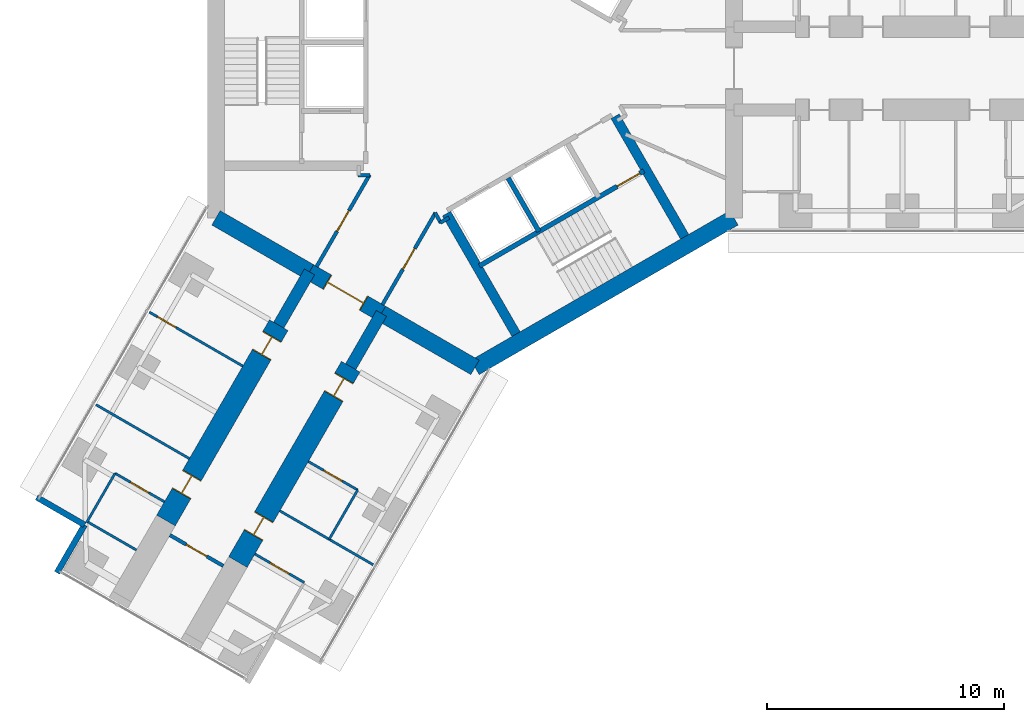
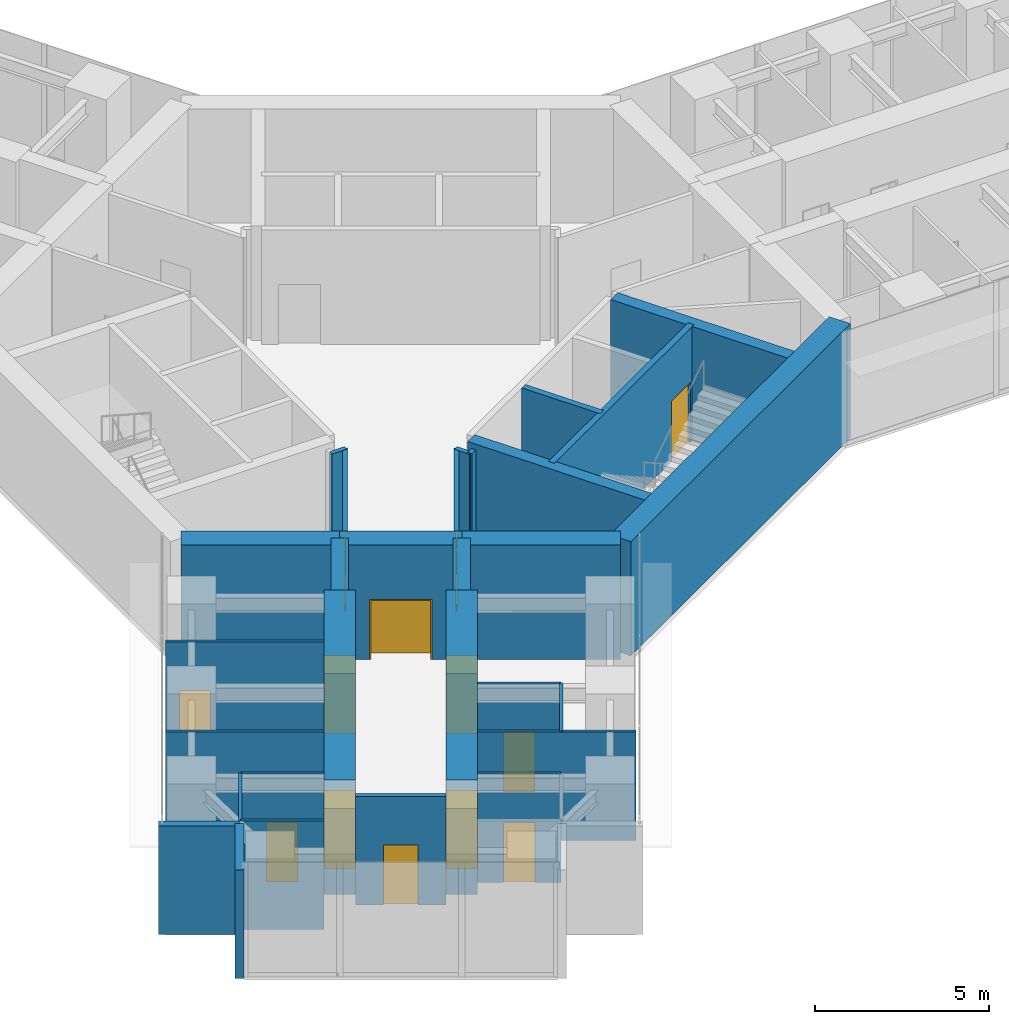
# One storey, part 16 of 25: 29 walls, 13 doors, 13 openings.
"""IFC4 building model written with IfcOpenShell, lengths in metres."""

import ifcopenshell
import ifcopenshell.guid

model = None  # the IFC model being written
_history = None  # IfcOwnerHistory: only IFC2X3 demands one
_inside = {}  # id of a spatial element -> (the spatial element, [elements in it])
_under = {}  # id of a project, library or spatial element -> (it, [spatial elements below it])
_declared = {}  # id of a project -> (the project, [libraries it declares])
_typed = {}  # id of a type object -> (the type object, [elements of that type])
_made_of = {}  # id of a material, layer set ... -> (it, [elements and type objects made of it])


def new_model(schema):
    """Start an empty IFC model of exactly this schema.

    Asked for "IFC4X3", IfcOpenShell would pick the latest addendum, in which some entities
    have other attributes; the version numbers below select the first issue.
    IFC2X3 requires an IfcOwnerHistory on every rooted entity: one is made here for all.
    """
    global model, _history
    if schema == "IFC4X3":
        model = ifcopenshell.file(schema_version=(4, 3, 0, 0))
    else:
        model = ifcopenshell.file(schema=schema)
    _inside.clear()
    _under.clear()
    _declared.clear()
    _typed.clear()
    _made_of.clear()
    _history = None
    if model.schema == "IFC2X3":
        org = make("IfcOrganization", Name="unknown")
        user = make(
            "IfcPersonAndOrganization",
            ThePerson=make("IfcPerson", FamilyName="unknown"),
            TheOrganization=org,
        )
        app = make(
            "IfcApplication",
            ApplicationDeveloper=org,
            Version="unknown",
            ApplicationFullName="unknown",
            ApplicationIdentifier="unknown",
        )
        _history = make(
            "IfcOwnerHistory",
            OwningUser=user,
            OwningApplication=app,
            ChangeAction="ADDED",
            CreationDate=0,
        )
    return model


def make(cls, **values):
    """One entity of the class cls with the attributes given. An attribute that is None is left unset."""
    return model.create_entity(
        cls, **{name: value for name, value in values.items() if value is not None}
    )


def rooted(cls, **values):
    """An entity with a GlobalId (a new one), such as an element, a storey or a relation."""
    return make(cls, GlobalId=ifcopenshell.guid.new(), OwnerHistory=_history, **values)


def si_unit(unit_type, name, prefix=None):
    """IfcSIUnit, for example si_unit("LENGTHUNIT", "METRE", prefix="MILLI")."""
    return make("IfcSIUnit", UnitType=unit_type, Prefix=prefix, Name=name)


def assignment(units):
    """IfcUnitAssignment: the units of a project."""
    return None if units is None else make("IfcUnitAssignment", Units=units)


def point(xyz):
    """IfcCartesianPoint."""
    return None if xyz is None else make("IfcCartesianPoint", Coordinates=xyz)


def direction(xyz):
    """IfcDirection."""
    return None if xyz is None else make("IfcDirection", DirectionRatios=xyz)


def frame(location, z_axis=None, x_axis=None):
    """IfcAxis2Placement3D, a coordinate frame: its origin and axes. An axis left out is left unset."""
    return make(
        "IfcAxis2Placement3D",
        Location=point(location),
        Axis=direction(z_axis),
        RefDirection=direction(x_axis),
    )


def frame_2d(location, x_axis=None):
    """IfcAxis2Placement2D, a coordinate frame in the plane: its origin and x axis."""
    return make(
        "IfcAxis2Placement2D", Location=point(location), RefDirection=direction(x_axis)
    )


def origin():
    """The frame at (0, 0, 0) with its axes left unset."""
    return frame((0.0, 0.0, 0.0))


def place(relative_to, where):
    """IfcLocalPlacement: puts the frame where relative to a parent placement (None: the world)."""
    return make(
        "IfcLocalPlacement", PlacementRelTo=relative_to, RelativePlacement=where
    )


def context(
    kind, dimensions, precision=None, world=None, true_north=None, identifier=None
):
    """IfcGeometricRepresentationContext, for example the 3D "Model" context."""
    return make(
        "IfcGeometricRepresentationContext",
        ContextIdentifier=identifier,
        ContextType=kind,
        CoordinateSpaceDimension=dimensions,
        Precision=precision,
        WorldCoordinateSystem=world,
        TrueNorth=true_north,
    )


def subcontext(parent, identifier, kind, view, scale=None):
    """IfcGeometricRepresentationSubContext, for example "Body" below "Model"."""
    return make(
        "IfcGeometricRepresentationSubContext",
        ContextIdentifier=identifier,
        ContextType=kind,
        ParentContext=parent,
        TargetScale=scale,
        TargetView=view,
    )


def project(units=None, contexts=None):
    """IfcProject with its units and contexts."""
    return rooted(
        "IfcProject",
        Name="project",
        RepresentationContexts=contexts,
        UnitsInContext=assignment(units),
    )


def spatial(cls, under=None, at=None, **own):
    """A site, building, storey or space (cls), placed at a placement, below another one or the project."""
    s = rooted(cls, ObjectPlacement=at, **own)
    if under is not None:
        _under.setdefault(under.id(), (under, []))[1].append(s)
    return s


def profile(cls, at=None, kind="AREA", **sizes):
    """A parametric profile (cls). Its sizes go by their IFC names, for example OverallWidth=200.0."""
    return make(cls, ProfileType=kind, Position=at, **sizes)


def rectangle(**sizes):
    """IfcRectangleProfileDef."""
    return profile("IfcRectangleProfileDef", **sizes)


def extrude(swept, where, along, depth):
    """IfcExtrudedAreaSolid: the profile swept, set in the frame where, extruded along a direction by depth."""
    return make(
        "IfcExtrudedAreaSolid",
        SweptArea=swept,
        Position=where,
        ExtrudedDirection=direction(along),
        Depth=depth,
    )


def shape(context_of_items, identifier, shape_type, items):
    """IfcShapeRepresentation: the items that make up one representation, for example the "Body"."""
    return make(
        "IfcShapeRepresentation",
        ContextOfItems=context_of_items,
        RepresentationIdentifier=identifier,
        RepresentationType=shape_type,
        Items=items,
    )


def material(Name=None, Category=None):
    """IfcMaterial."""
    return make("IfcMaterial", Name=Name, Category=Category)


def layer(
    of_material, thickness, ventilated=None, Name=None, Category=None, Priority=None
):
    """IfcMaterialLayer: one layer of a wall or slab, of a material (None: an air gap)."""
    return make(
        "IfcMaterialLayer",
        Material=of_material,
        LayerThickness=thickness,
        IsVentilated=ventilated,
        Name=Name,
        Category=Category,
        Priority=Priority,
    )


def layer_set(layers, Name=None):
    """IfcMaterialLayerSet."""
    return make("IfcMaterialLayerSet", MaterialLayers=layers, LayerSetName=Name)


def made_of(thing, what):
    """Note that an element or type object is made of a material, layer set ...; save() writes the relation."""
    if what is not None:
        _made_of.setdefault(what.id(), (what, []))[1].append(thing)
    return thing


def type_object(cls, material=None, **own):
    """A type object (cls), such as IfcWallType, which elements share."""
    return made_of(rooted(cls, **own), material)


def element(
    cls,
    number,
    at=None,
    inside=None,
    cuts=None,
    type_object=None,
    material=None,
    context=None,
    identifier="Body",
    shape_type=None,
    held_by="IfcProductDefinitionShape",
    body=None,
    shapes=None,
    **own,
):
    """One element of the class cls, such as IfcWall. Its Tag is "e" and its number.

    at: its placement. inside: the storey or other place that contains it. cuts: it is an
    opening in that element (IfcRelVoidsElement). A single representation is given by context,
    identifier, shape_type and body (its items); several are given by shapes. held_by: the class
    of the entity that holds the representations. save() writes the other relations.
    """
    e = rooted(cls, Tag="e%d" % number, ObjectPlacement=at, **own)
    if body is not None:
        shapes = [shape(context, identifier, shape_type, body)]
    if shapes is not None:
        e.Representation = make(held_by, Representations=shapes)
    if inside is not None:
        _inside.setdefault(inside.id(), (inside, []))[1].append(e)
    if cuts is not None:
        rooted(
            "IfcRelVoidsElement", RelatingBuildingElement=cuts, RelatedOpeningElement=e
        )
    if type_object is not None:
        _typed.setdefault(type_object.id(), (type_object, []))[1].append(e)
    return made_of(e, material)


def fill(opening, filler):
    """IfcRelFillsElement: the door or window that sits in an opening."""
    return rooted(
        "IfcRelFillsElement",
        RelatingOpeningElement=opening,
        RelatedBuildingElement=filler,
    )


def aggregate(whole, parts):
    """IfcRelAggregates: a whole, such as a stair, and the parts it consists of."""
    return rooted("IfcRelAggregates", RelatingObject=whole, RelatedObjects=parts)


def save(model, path):
    """Write the relations noted so far, then the file.

    IfcRelAggregates (storeys below a building ...), IfcRelContainedInSpatialStructure (elements
    in a storey), IfcRelDefinesByType, IfcRelAssociatesMaterial and IfcRelDeclares: one each for
    every whole, place, type object, material and project.
    """
    for whole, parts in _under.values():
        aggregate(whole, parts)
    for where, things in _inside.values():
        rooted(
            "IfcRelContainedInSpatialStructure",
            RelatedElements=things,
            RelatingStructure=where,
        )
    for kind, things in _typed.values():
        rooted("IfcRelDefinesByType", RelatedObjects=things, RelatingType=kind)
    for what, things in _made_of.values():
        rooted("IfcRelAssociatesMaterial", RelatedObjects=things, RelatingMaterial=what)
    for by, libraries in _declared.values():
        rooted("IfcRelDeclares", RelatingContext=by, RelatedDefinitions=libraries)
    model.write(path)


model = new_model("IFC4")

# Units and contexts
model_context = context("Model", 3, precision=1e-05, world=origin(), true_north=direction((0.0, 1.0)))
body_context = subcontext(model_context, "Body", "Model", "MODEL_VIEW")
ifc_project = project(units=[si_unit("LENGTHUNIT", "METRE"), si_unit("AREAUNIT", "SQUARE_METRE"), si_unit("VOLUMEUNIT", "CUBIC_METRE"), si_unit("PLANEANGLEUNIT", "RADIAN"), si_unit("MASSUNIT", "GRAM", prefix="KILO")], contexts=[model_context])

# Site, building, storey
site_placement = place(None, origin())
site = spatial("IfcSite", under=ifc_project, at=site_placement, CompositionType="ELEMENT")
building_placement = place(site_placement, origin())
building = spatial("IfcBuilding", under=site, at=building_placement, Name="Upepo Twin Towers", CompositionType="ELEMENT")
storey_placement = place(building_placement, frame((0.0, 0.0, 76.5)))
storey = spatial("IfcBuildingStorey", under=building, at=storey_placement, Name="L18", CompositionType="ELEMENT", Elevation=76.5)

# Walls
ifc_material_1 = material(Name="Concrete C60/75", Category="concrete")
ifc_layer_1 = layer(ifc_material_1, 0.5)
ifc_layer_set_1 = layer_set([ifc_layer_1], Name="Concrete C60/75")
wall_type_1 = type_object("IfcWallType", Name="Buttress wall 500 RC", PredefinedType="SHEAR", material=ifc_layer_set_1)
for number, where, z_axis, x_axis, name in (
    (1, (-3.938720703125, -10.32177734375, 0.0), (0.0, 0.0, 1.0), (-0.499918158782, -0.866072649678, 0.0), "T1 wing C buttress wall L"),
    (2, (-6.9697265625, -8.57177734375, 0.0), (0.0, 0.0, 1.0), (-0.499988811324, -0.866031863473, 0.0), "T1 wing C buttress wall R"),
):
    element("IfcWall", number, at=place(storey_placement, frame(where, z_axis=z_axis, x_axis=x_axis)), inside=storey, type_object=wall_type_1, Name=name, PredefinedType="SHEAR", context=body_context, shape_type="SweptSolid", body=[
        extrude(rectangle(XDim=2.591796875, YDim=0.5, at=frame_2d((1.2958984375, 0.0))), origin(), (0.0, 0.0, 1.0), 4.0),
    ])

# Wall, openings, doors
ifc_material_2 = material(Name="Concrete C60/75", Category="concrete")
ifc_layer_2 = layer(ifc_material_2, 0.89990234375)
ifc_layer_set_2 = layer_set([ifc_layer_2], Name="Concrete C60/75")
wall_type_2 = type_object("IfcWallType", Name="Buttress wall 900 RC", PredefinedType="SHEAR", material=ifc_layer_set_2)
wall_1_placement = place(storey_placement, frame((-5.234375, -12.56640625, 0.0), z_axis=(0.0, 0.0, 1.0), x_axis=(-0.499997557548, -0.86602681393, 0.0)))
wall_1 = element("IfcWall", 3, at=wall_1_placement, inside=storey, type_object=wall_type_2, Name="T1 wing C buttress wall L part 2", PredefinedType="SHEAR", context=body_context, shape_type="SweptSolid", body=[
    extrude(rectangle(XDim=9.5, YDim=0.89990234375, at=frame_2d((4.75, 0.0))), origin(), (0.0, 0.0, 1.0), 4.0),
])
opening_1_placement = place(wall_1_placement, frame((0.550048828125, 0.0, 0.0)))
opening_1 = element("IfcOpeningElement", 4, at=opening_1_placement, cuts=wall_1, Name="Opening D14", PredefinedType="OPENING", context=body_context, shape_type="SweptSolid", body=[
    extrude(rectangle(XDim=0.89990234375, YDim=2.10009765625, at=frame_2d((0.449951171875, 1.050048828125))), frame((0.0, 0.4599609375, 0.0), z_axis=(0.0, -1.0, 0.0), x_axis=(1.0, 0.0, 0.0)), (0.0, 0.0, 1.0), 0.919921875),
])
opening_2_placement = place(wall_1_placement, frame((7.300048828125, 0.0, 0.0)))
opening_2 = element("IfcOpeningElement", 5, at=opening_2_placement, cuts=wall_1, Name="Opening D14", PredefinedType="OPENING", context=body_context, shape_type="SweptSolid", body=[
    extrude(rectangle(XDim=0.89990234375, YDim=2.10009765625, at=frame_2d((0.449951171875, 1.050048828125))), frame((0.0, 0.4599609375, 0.0), z_axis=(0.0, -1.0, 0.0), x_axis=(1.0, 0.0, 0.0)), (0.0, 0.0, 1.0), 0.919921875),
])
ifc_material_3 = material(Name="Timber doorset", Category="wood")
door_type_1 = type_object("IfcDoorType", Name="Office door 900 FD30", OperationType="SINGLE_SWING_LEFT", PredefinedType="DOOR", material=ifc_material_3)
door_1_placement = place(opening_1_placement, origin())
door_1 = element("IfcDoor", 6, at=door_1_placement, inside=storey, type_object=door_type_1, Name="T1 L18 open-plan staff office door", OperationType="SINGLE_SWING_LEFT", OverallHeight=2.10009765625, OverallWidth=0.89990234375, PredefinedType="DOOR", context=body_context, shape_type="SweptSolid", body=[
    extrude(rectangle(XDim=0.81990234375, YDim=2.06009765625, at=frame_2d((0.449951171875, 1.030029296875))), frame((0.0, 0.02490234375, 0.0), z_axis=(0.0, -1.0, 0.0), x_axis=(1.0, 0.0, 0.0)), (0.0, 0.0, 1.0), 0.050048828125),
    extrude(rectangle(XDim=0.04, YDim=2.10009765625, at=frame_2d((0.02001953125, 1.050048828125))), frame((0.0, 0.44970703125, 0.0), z_axis=(0.0, -1.0, 0.0), x_axis=(1.0, 0.0, 0.0)), (0.0, 0.0, 1.0), 0.8994140625),
    extrude(rectangle(XDim=0.04, YDim=2.10009765625, at=frame_2d((0.8798828125, 1.050048828125))), frame((0.0, 0.44970703125, 0.0), z_axis=(0.0, -1.0, 0.0), x_axis=(1.0, 0.0, 0.0)), (0.0, 0.0, 1.0), 0.8994140625),
    extrude(rectangle(XDim=0.81990234375, YDim=0.04, at=frame_2d((0.449951171875, 2.080078125))), frame((0.0, 0.44970703125, 0.0), z_axis=(0.0, -1.0, 0.0), x_axis=(1.0, 0.0, 0.0)), (0.0, 0.0, 1.0), 0.8994140625),
])
fill(opening_1, door_1)
door_2_placement = place(opening_2_placement, origin())
door_2 = element("IfcDoor", 7, at=door_2_placement, inside=storey, type_object=door_type_1, Name="T1 L18 meeting room door", OperationType="SINGLE_SWING_RIGHT", OverallHeight=2.10009765625, OverallWidth=0.89990234375, PredefinedType="DOOR", context=body_context, shape_type="SweptSolid", body=[
    extrude(rectangle(XDim=0.81990234375, YDim=2.06009765625, at=frame_2d((0.449951171875, 1.030029296875))), frame((0.0, 0.02490234375, 0.0), z_axis=(0.0, -1.0, 0.0), x_axis=(1.0, 0.0, 0.0)), (0.0, 0.0, 1.0), 0.050048828125),
    extrude(rectangle(XDim=0.04, YDim=2.10009765625, at=frame_2d((0.02001953125, 1.050048828125))), frame((0.0, 0.44970703125, 0.0), z_axis=(0.0, -1.0, 0.0), x_axis=(1.0, 0.0, 0.0)), (0.0, 0.0, 1.0), 0.8994140625),
    extrude(rectangle(XDim=0.04, YDim=2.10009765625, at=frame_2d((0.8798828125, 1.050048828125))), frame((0.0, 0.44970703125, 0.0), z_axis=(0.0, -1.0, 0.0), x_axis=(1.0, 0.0, 0.0)), (0.0, 0.0, 1.0), 0.8994140625),
    extrude(rectangle(XDim=0.81990234375, YDim=0.04, at=frame_2d((0.449951171875, 2.080078125))), frame((0.0, 0.44970703125, 0.0), z_axis=(0.0, -1.0, 0.0), x_axis=(1.0, 0.0, 0.0)), (0.0, 0.0, 1.0), 0.8994140625),
])
fill(opening_2, door_2)

wall_2_placement = place(storey_placement, frame((-8.265625, -10.81640625, 0.0), z_axis=(0.0, 0.0, 1.0), x_axis=(-0.499997557548, -0.86602681393, 0.0)))
wall_2 = element("IfcWall", 8, at=wall_2_placement, inside=storey, type_object=wall_type_2, Name="T1 wing C buttress wall R part 2", PredefinedType="SHEAR", context=body_context, shape_type="SweptSolid", body=[
    extrude(rectangle(XDim=9.5, YDim=0.89990234375, at=frame_2d((4.75, 0.0))), origin(), (0.0, 0.0, 1.0), 4.0),
])
opening_3_placement = place(wall_2_placement, frame((0.550048828125, 0.0, 0.0)))
opening_3 = element("IfcOpeningElement", 9, at=opening_3_placement, cuts=wall_2, Name="Opening D14", PredefinedType="OPENING", context=body_context, shape_type="SweptSolid", body=[
    extrude(rectangle(XDim=0.89990234375, YDim=2.10009765625, at=frame_2d((0.449951171875, 1.050048828125))), frame((0.0, 0.4599609375, 0.0), z_axis=(0.0, -1.0, 0.0), x_axis=(1.0, 0.0, 0.0)), (0.0, 0.0, 1.0), 0.919921875),
])
opening_4_placement = place(wall_2_placement, frame((7.300048828125, 0.0, 0.0)))
opening_4 = element("IfcOpeningElement", 10, at=opening_4_placement, cuts=wall_2, Name="Opening D14", PredefinedType="OPENING", context=body_context, shape_type="SweptSolid", body=[
    extrude(rectangle(XDim=0.89990234375, YDim=2.10009765625, at=frame_2d((0.449951171875, 1.050048828125))), frame((0.0, 0.4599609375, 0.0), z_axis=(0.0, -1.0, 0.0), x_axis=(1.0, 0.0, 0.0)), (0.0, 0.0, 1.0), 0.919921875),
])
door_3_placement = place(opening_3_placement, origin())
door_3 = element("IfcDoor", 11, at=door_3_placement, inside=storey, type_object=door_type_1, Name="T1 L18 staff office door", OperationType="SINGLE_SWING_LEFT", OverallHeight=2.10009765625, OverallWidth=0.89990234375, PredefinedType="DOOR", context=body_context, shape_type="SweptSolid", body=[
    extrude(rectangle(XDim=0.81990234375, YDim=2.06009765625, at=frame_2d((0.449951171875, 1.030029296875))), frame((0.0, 0.02490234375, 0.0), z_axis=(0.0, -1.0, 0.0), x_axis=(1.0, 0.0, 0.0)), (0.0, 0.0, 1.0), 0.050048828125),
    extrude(rectangle(XDim=0.04, YDim=2.10009765625, at=frame_2d((0.02001953125, 1.050048828125))), frame((0.0, 0.44970703125, 0.0), z_axis=(0.0, -1.0, 0.0), x_axis=(1.0, 0.0, 0.0)), (0.0, 0.0, 1.0), 0.8994140625),
    extrude(rectangle(XDim=0.04, YDim=2.10009765625, at=frame_2d((0.8798828125, 1.050048828125))), frame((0.0, 0.44970703125, 0.0), z_axis=(0.0, -1.0, 0.0), x_axis=(1.0, 0.0, 0.0)), (0.0, 0.0, 1.0), 0.8994140625),
    extrude(rectangle(XDim=0.81990234375, YDim=0.04, at=frame_2d((0.449951171875, 2.080078125))), frame((0.0, 0.44970703125, 0.0), z_axis=(0.0, -1.0, 0.0), x_axis=(1.0, 0.0, 0.0)), (0.0, 0.0, 1.0), 0.8994140625),
])
fill(opening_3, door_3)
door_4_placement = place(opening_4_placement, origin())
door_4 = element("IfcDoor", 12, at=door_4_placement, inside=storey, type_object=door_type_1, Name="T1 L18 postgraduate office door", OperationType="SINGLE_SWING_RIGHT", OverallHeight=2.10009765625, OverallWidth=0.89990234375, PredefinedType="DOOR", context=body_context, shape_type="SweptSolid", body=[
    extrude(rectangle(XDim=0.81990234375, YDim=2.06009765625, at=frame_2d((0.449951171875, 1.030029296875))), frame((0.0, 0.02490234375, 0.0), z_axis=(0.0, -1.0, 0.0), x_axis=(1.0, 0.0, 0.0)), (0.0, 0.0, 1.0), 0.050048828125),
    extrude(rectangle(XDim=0.04, YDim=2.10009765625, at=frame_2d((0.02001953125, 1.050048828125))), frame((0.0, 0.44970703125, 0.0), z_axis=(0.0, -1.0, 0.0), x_axis=(1.0, 0.0, 0.0)), (0.0, 0.0, 1.0), 0.8994140625),
    extrude(rectangle(XDim=0.04, YDim=2.10009765625, at=frame_2d((0.8798828125, 1.050048828125))), frame((0.0, 0.44970703125, 0.0), z_axis=(0.0, -1.0, 0.0), x_axis=(1.0, 0.0, 0.0)), (0.0, 0.0, 1.0), 0.8994140625),
    extrude(rectangle(XDim=0.81990234375, YDim=0.04, at=frame_2d((0.449951171875, 2.080078125))), frame((0.0, 0.44970703125, 0.0), z_axis=(0.0, -1.0, 0.0), x_axis=(1.0, 0.0, 0.0)), (0.0, 0.0, 1.0), 0.8994140625),
])
fill(opening_4, door_4)

# Wall
ifc_material_4 = material(Name="Concrete C60/75", Category="concrete")
ifc_layer_3 = layer(ifc_material_4, 0.699951171875)
ifc_layer_set_3 = layer_set([ifc_layer_3], Name="Concrete C60/75")
wall_type_3 = type_object("IfcWallType", Name="Core wall 700 RC", PredefinedType="SHEAR", material=ifc_layer_set_3)
wall_3_placement = place(storey_placement, frame((-10.908447265625, -6.2978515625, 0.0), z_axis=(0.0, 0.0, 1.0), x_axis=(0.866034513004, -0.499984222037, 0.0)))
element("IfcWall", 13, at=wall_3_placement, inside=storey, type_object=wall_type_3, Name="T1 core wall 240 R", PredefinedType="SHEAR", context=body_context, shape_type="SweptSolid", body=[
    extrude(rectangle(XDim=4.548095703125, YDim=0.699951171875, at=frame_2d((2.27392578125, 0.0))), origin(), (0.0, 0.0, 1.0), 4.0),
])

# Wall, opening, door
wall_4_placement = place(storey_placement, frame((-6.9697265625, -8.57177734375, 0.0), z_axis=(0.0, 0.0, 1.0), x_axis=(0.866019471182, -0.500010275428, 0.0)))
wall_4 = element("IfcWall", 14, at=wall_4_placement, inside=storey, type_object=wall_type_3, Name="T1 core wall 240", PredefinedType="SHEAR", context=body_context, shape_type="SweptSolid", body=[
    extrude(rectangle(XDim=3.5, YDim=0.699951171875, at=frame_2d((1.75, 0.0))), origin(), (0.0, 0.0, 1.0), 4.0),
])
opening_5_placement = place(wall_4_placement, frame((0.85009765625, 0.0, 0.0)))
opening_5 = element("IfcOpeningElement", 15, at=opening_5_placement, cuts=wall_4, Name="Opening D2", PredefinedType="OPENING", context=body_context, shape_type="SweptSolid", body=[
    extrude(rectangle(XDim=1.800048828125, YDim=2.10009765625, at=frame_2d((0.89990234375, 1.050048828125))), frame((0.0, 0.35986328125, 0.0), z_axis=(0.0, -1.0, 0.0), x_axis=(1.0, 0.0, 0.0)), (0.0, 0.0, 1.0), 0.719970703125),
])
ifc_material_5 = material(Name="Timber doorset", Category="wood")
door_type_2 = type_object("IfcDoorType", Name="Corridor double door 1800 FD60", OperationType="DOUBLE_DOOR_DOUBLE_SWING", PredefinedType="DOOR", material=ifc_material_5)
door_5_placement = place(opening_5_placement, origin())
door_5 = element("IfcDoor", 16, at=door_5_placement, inside=storey, type_object=door_type_2, Name="T1 L18 wing C corridor door", OperationType="DOUBLE_DOOR_DOUBLE_SWING", OverallHeight=2.10009765625, OverallWidth=1.800048828125, PredefinedType="DOOR", context=body_context, shape_type="SweptSolid", body=[
    extrude(rectangle(XDim=1.720048828125, YDim=2.06009765625, at=frame_2d((0.89990234375, 1.030029296875))), frame((0.0, 0.02490234375, 0.0), z_axis=(0.0, -1.0, 0.0), x_axis=(1.0, 0.0, 0.0)), (0.0, 0.0, 1.0), 0.050048828125),
    extrude(rectangle(XDim=0.04, YDim=2.10009765625, at=frame_2d((0.02001953125, 1.050048828125))), frame((0.0, 0.349609375, 0.0), z_axis=(0.0, -1.0, 0.0), x_axis=(1.0, 0.0, 0.0)), (0.0, 0.0, 1.0), 0.699462890625),
    extrude(rectangle(XDim=0.04, YDim=2.10009765625, at=frame_2d((1.780029296875, 1.050048828125))), frame((0.0, 0.349609375, 0.0), z_axis=(0.0, -1.0, 0.0), x_axis=(1.0, 0.0, 0.0)), (0.0, 0.0, 1.0), 0.699462890625),
    extrude(rectangle(XDim=1.720048828125, YDim=0.04, at=frame_2d((0.89990234375, 2.080078125))), frame((0.0, 0.349609375, 0.0), z_axis=(0.0, -1.0, 0.0), x_axis=(1.0, 0.0, 0.0)), (0.0, 0.0, 1.0), 0.699462890625),
])
fill(opening_5, door_5)

# Walls
wall_5_placement = place(storey_placement, frame((-3.938720703125, -10.32177734375, 0.0), z_axis=(0.0, 0.0, 1.0), x_axis=(0.866011268655, -0.500024481964, 0.0)))
element("IfcWall", 17, at=wall_5_placement, inside=storey, type_object=wall_type_3, Name="T1 core wall 240 L", PredefinedType="SHEAR", context=body_context, shape_type="SweptSolid", body=[
    extrude(rectangle(XDim=4.548095703125, YDim=0.699951171875, at=frame_2d((2.27392578125, 0.0))), origin(), (0.0, 0.0, 1.0), 4.0),
])
wall_6_placement = place(storey_placement, frame((0.0, -12.595947265625, 0.0), z_axis=(0.0, 0.0, 1.0), x_axis=(0.866021940709, 0.500005998175, 0.0)))
element("IfcWall", 18, at=wall_6_placement, inside=storey, type_object=wall_type_3, Name="T1 core wall 300", PredefinedType="SHEAR", context=body_context, shape_type="SweptSolid", body=[
    extrude(rectangle(XDim=12.595947265625, YDim=0.699951171875, at=frame_2d((6.2978515625, 0.0))), origin(), (0.0, 0.0, 1.0), 4.0),
])
ifc_material_6 = material(Name="Blockwork with anodised aluminium cladding", Category="masonry")
ifc_layer_4 = layer(ifc_material_6, 0.25)
ifc_layer_set_4 = layer_set([ifc_layer_4], Name="Notch cladding wall 250, pale metal")
wall_type_4 = type_object("IfcWallType", Name="Notch cladding wall 250, pale metal", PredefinedType="STANDARD", material=ifc_layer_set_4)
for number, where, z_axis, x_axis, name in (
    (19, (-18.456298828125, -18.0673828125, 0.0), (0.0, 0.0, 1.0), (0.865998469481, -0.500046648681, 0.0), "T1 L18 wing C notch wall R1"),
    (20, (-16.44287109375, -19.22998046875, 0.0), (0.0, 0.0, 1.0), (-0.500046648681, -0.865998469481, 0.0), "T1 L18 wing C notch wall R2"),
):
    element("IfcWall", number, at=place(storey_placement, frame(where, z_axis=z_axis, x_axis=x_axis)), inside=storey, type_object=wall_type_4, Name=name, PredefinedType="STANDARD", context=body_context, shape_type="SweptSolid", body=[
        extrude(rectangle(XDim=2.324951171875, YDim=0.25, at=frame_2d((1.16259765625, 0.0))), origin(), (0.0, 0.0, 1.0), 3.800048828125),
    ])
ifc_material_7 = material(Name="Gypsum board on steel studs", Category="steel")
ifc_layer_5 = layer(ifc_material_7, 0.10009765625)
ifc_layer_set_5 = layer_set([ifc_layer_5], Name="Office partition 100 stud")
wall_type_5 = type_object("IfcWallType", Name="Office partition 100 stud", PredefinedType="PARTITIONING", material=ifc_layer_set_5)
wall_7_placement = place(storey_placement, frame((-8.2197265625, -18.636962890625, 0.0), z_axis=(0.0, 0.0, 1.0), x_axis=(0.866012237902, -0.500022803284, 0.0)))
element("IfcWall", 21, at=wall_7_placement, inside=storey, type_object=wall_type_5, Name="T1 partition CL at 20.25", PredefinedType="PARTITIONING", context=body_context, shape_type="SweptSolid", body=[
    extrude(rectangle(XDim=4.550048828125, YDim=0.10009765625, at=frame_2d((2.27490234375, 0.0))), origin(), (0.0, 0.0, 1.0), 3.800048828125),
])
wall_8_placement = place(storey_placement, frame((-4.941162109375, -17.758544921875, 0.0), z_axis=(0.0, 0.0, 1.0), x_axis=(-0.500077600433, -0.865980596518, 0.0)))
element("IfcWall", 22, at=wall_8_placement, inside=storey, type_object=wall_type_5, Name="T1 inner room partition CL at 17.85", PredefinedType="PARTITIONING", context=body_context, shape_type="SweptSolid", body=[
    extrude(rectangle(XDim=2.39990234375, YDim=0.10009765625, at=frame_2d((1.199951171875, 0.0))), origin(), (0.0, 0.0, 1.0), 3.800048828125),
])

# Wall, opening, door
wall_9_placement = place(storey_placement, frame((-7.019775390625, -16.55859375, 0.0), z_axis=(0.0, 0.0, 1.0), x_axis=(0.866050077142, -0.499957262057, 0.0)))
wall_9 = element("IfcWall", 23, at=wall_9_placement, inside=storey, type_object=wall_type_5, Name="T1 inner room partition CL end at 17.85", PredefinedType="PARTITIONING", context=body_context, shape_type="SweptSolid", body=[
    extrude(rectangle(XDim=2.400146484375, YDim=0.10009765625, at=frame_2d((1.2001953125, 0.0))), origin(), (0.0, 0.0, 1.0), 3.800048828125),
])
opening_6_placement = place(wall_9_placement, frame((0.75, 0.0, 0.0)))
opening_6 = element("IfcOpeningElement", 24, at=opening_6_placement, cuts=wall_9, Name="Opening D14", PredefinedType="OPENING", context=body_context, shape_type="SweptSolid", body=[
    extrude(rectangle(XDim=0.89990234375, YDim=2.10009765625, at=frame_2d((0.449951171875, 1.050048828125))), frame((0.0, 0.06005859375, 0.0), z_axis=(0.0, -1.0, 0.0), x_axis=(1.0, 0.0, 0.0)), (0.0, 0.0, 1.0), 0.1201171875),
])
door_6_placement = place(opening_6_placement, origin())
door_6 = element("IfcDoor", 25, at=door_6_placement, inside=storey, type_object=door_type_1, Name="T1 L18 inner room door", OperationType="SINGLE_SWING_LEFT", OverallHeight=2.10009765625, OverallWidth=0.89990234375, PredefinedType="DOOR", context=body_context, shape_type="SweptSolid", body=[
    extrude(rectangle(XDim=0.89990234375, YDim=2.10009765625, at=frame_2d((0.449951171875, 1.050048828125))), frame((0.0, 0.02490234375, 0.0), z_axis=(0.0, -1.0, 0.0), x_axis=(1.0, 0.0, 0.0)), (0.0, 0.0, 1.0), 0.050048828125),
])
fill(opening_6, door_6)

wall_10_placement = place(storey_placement, frame((-9.269775390625, -20.45556640625, 0.0), z_axis=(0.0, 0.0, 1.0), x_axis=(0.866006032174, -0.500033551112, 0.0)))
wall_10 = element("IfcWall", 26, at=wall_10_placement, inside=storey, type_object=wall_type_5, Name="T1 inner room partition CL end at 22.35", PredefinedType="PARTITIONING", context=body_context, shape_type="SweptSolid", body=[
    extrude(rectangle(XDim=2.400146484375, YDim=0.10009765625, at=frame_2d((1.2001953125, 0.0))), origin(), (0.0, 0.0, 1.0), 3.800048828125),
])
opening_7_placement = place(wall_10_placement, frame((0.75, 0.0, 0.0)))
opening_7 = element("IfcOpeningElement", 27, at=opening_7_placement, cuts=wall_10, Name="Opening D14", PredefinedType="OPENING", context=body_context, shape_type="SweptSolid", body=[
    extrude(rectangle(XDim=0.89990234375, YDim=2.10009765625, at=frame_2d((0.449951171875, 1.050048828125))), frame((0.0, 0.06005859375, 0.0), z_axis=(0.0, -1.0, 0.0), x_axis=(1.0, 0.0, 0.0)), (0.0, 0.0, 1.0), 0.1201171875),
])
door_7_placement = place(opening_7_placement, origin())
door_7 = element("IfcDoor", 28, at=door_7_placement, inside=storey, type_object=door_type_1, Name="T1 L18 inner room door", OperationType="SINGLE_SWING_LEFT", OverallHeight=2.10009765625, OverallWidth=0.89990234375, PredefinedType="DOOR", context=body_context, shape_type="SweptSolid", body=[
    extrude(rectangle(XDim=0.89990234375, YDim=2.10009765625, at=frame_2d((0.449951171875, 1.050048828125))), frame((0.0, 0.02490234375, 0.0), z_axis=(0.0, -1.0, 0.0), x_axis=(1.0, 0.0, 0.0)), (0.0, 0.0, 1.0), 0.050048828125),
])
fill(opening_7, door_7)

wall_11_placement = place(storey_placement, frame((-9.7802734375, -12.539794921875, 0.0), z_axis=(0.0, 0.0, 1.0), x_axis=(-0.866035472144, 0.499982560684, 0.0)))
wall_11 = element("IfcWall", 29, at=wall_11_placement, inside=storey, type_object=wall_type_5, Name="T1 partition CR at 15.75", PredefinedType="PARTITIONING", context=body_context, shape_type="SweptSolid", body=[
    extrude(rectangle(XDim=4.550048828125, YDim=0.10009765625, at=frame_2d((2.27490234375, 0.0))), origin(), (0.0, 0.0, 1.0), 3.800048828125),
])
opening_8_placement = place(wall_11_placement, frame((3.25, 0.0, 0.0)))
opening_8 = element("IfcOpeningElement", 30, at=opening_8_placement, cuts=wall_11, Name="Opening D14", PredefinedType="OPENING", context=body_context, shape_type="SweptSolid", body=[
    extrude(rectangle(XDim=0.89990234375, YDim=2.10009765625, at=frame_2d((0.449951171875, 1.050048828125))), frame((0.0, 0.06005859375, 0.0), z_axis=(0.0, -1.0, 0.0), x_axis=(1.0, 0.0, 0.0)), (0.0, 0.0, 1.0), 0.1201171875),
])
door_8_placement = place(opening_8_placement, origin())
door_8 = element("IfcDoor", 31, at=door_8_placement, inside=storey, type_object=door_type_1, Name="T1 L18 connecting door", OperationType="SINGLE_SWING_RIGHT", OverallHeight=2.10009765625, OverallWidth=0.89990234375, PredefinedType="DOOR", context=body_context, shape_type="SweptSolid", body=[
    extrude(rectangle(XDim=0.89990234375, YDim=2.10009765625, at=frame_2d((0.449951171875, 1.050048828125))), frame((0.0, 0.02490234375, 0.0), z_axis=(0.0, -1.0, 0.0), x_axis=(1.0, 0.0, 0.0)), (0.0, 0.0, 1.0), 0.050048828125),
])
fill(opening_8, door_8)

# Walls
wall_12_placement = place(storey_placement, frame((-12.0302734375, -16.43701171875, 0.0), z_axis=(0.0, 0.0, 1.0), x_axis=(-0.866035472144, 0.499982560684, 0.0)))
element("IfcWall", 32, at=wall_12_placement, inside=storey, type_object=wall_type_5, Name="T1 partition CR at 20.25", PredefinedType="PARTITIONING", context=body_context, shape_type="SweptSolid", body=[
    extrude(rectangle(XDim=4.550048828125, YDim=0.10009765625, at=frame_2d((2.27490234375, 0.0))), origin(), (0.0, 0.0, 1.0), 3.800048828125),
])
wall_13_placement = place(storey_placement, frame((-15.15869140625, -17.0556640625, 0.0), z_axis=(0.0, 0.0, 1.0), x_axis=(-0.500001309137, -0.866024647952, 0.0)))
element("IfcWall", 33, at=wall_13_placement, inside=storey, type_object=wall_type_5, Name="T1 inner room partition CR at 22.35", PredefinedType="PARTITIONING", context=body_context, shape_type="SweptSolid", body=[
    extrude(rectangle(XDim=2.39990234375, YDim=0.10009765625, at=frame_2d((1.199951171875, 0.0))), origin(), (0.0, 0.0, 1.0), 3.800048828125),
])

# Wall, opening, door
wall_14_placement = place(storey_placement, frame((-13.080322265625, -18.255615234375, 0.0), z_axis=(0.0, 0.0, 1.0), x_axis=(-0.866024647952, 0.500001309137, 0.0)))
wall_14 = element("IfcWall", 34, at=wall_14_placement, inside=storey, type_object=wall_type_5, Name="T1 inner room partition CR end at 22.35", PredefinedType="PARTITIONING", context=body_context, shape_type="SweptSolid", body=[
    extrude(rectangle(XDim=2.39990234375, YDim=0.10009765625, at=frame_2d((1.199951171875, 0.0))), origin(), (0.0, 0.0, 1.0), 3.800048828125),
])
opening_9_placement = place(wall_14_placement, frame((0.75, 0.0, 0.0)))
opening_9 = element("IfcOpeningElement", 35, at=opening_9_placement, cuts=wall_14, Name="Opening D14", PredefinedType="OPENING", context=body_context, shape_type="SweptSolid", body=[
    extrude(rectangle(XDim=0.89990234375, YDim=2.10009765625, at=frame_2d((0.449951171875, 1.050048828125))), frame((0.0, 0.06005859375, 0.0), z_axis=(0.0, -1.0, 0.0), x_axis=(1.0, 0.0, 0.0)), (0.0, 0.0, 1.0), 0.1201171875),
])
door_9_placement = place(opening_9_placement, origin())
door_9 = element("IfcDoor", 36, at=door_9_placement, inside=storey, type_object=door_type_1, Name="T1 L18 inner room door", OperationType="SINGLE_SWING_LEFT", OverallHeight=2.10009765625, OverallWidth=0.89990234375, PredefinedType="DOOR", context=body_context, shape_type="SweptSolid", body=[
    extrude(rectangle(XDim=0.89990234375, YDim=2.10009765625, at=frame_2d((0.449951171875, 1.050048828125))), frame((0.0, 0.02490234375, 0.0), z_axis=(0.0, -1.0, 0.0), x_axis=(1.0, 0.0, 0.0)), (0.0, 0.0, 1.0), 0.050048828125),
])
fill(opening_9, door_9)

# Walls
wall_15_placement = place(storey_placement, frame((-14.25537109375, -20.290771484375, 0.0), z_axis=(0.0, 0.0, 1.0), x_axis=(-0.866024647952, 0.500001309137, 0.0)))
element("IfcWall", 37, at=wall_15_placement, inside=storey, type_object=wall_type_5, Name="T1 inner room partition CR end at 24.75", PredefinedType="PARTITIONING", context=body_context, shape_type="SweptSolid", body=[
    extrude(rectangle(XDim=2.39990234375, YDim=0.10009765625, at=frame_2d((1.199951171875, 0.0))), origin(), (0.0, 0.0, 1.0), 3.800048828125),
])
ifc_material_8 = material(Name="Concrete C40/50", Category="concrete")
ifc_layer_6 = layer(ifc_material_8, 0.199951171875)
ifc_layer_set_6 = layer_set([ifc_layer_6], Name="Concrete C40/50")
wall_type_6 = type_object("IfcWallType", Name="Shaft wall 200 RC", PredefinedType="SHEAR", material=ifc_layer_set_6)
wall_16_placement = place(storey_placement, frame((1.3974609375, -4.620361328125, 0.0), z_axis=(0.0, 0.0, 1.0), x_axis=(0.499936506574, -0.866062058628, 0.0)))
element("IfcWall", 38, at=wall_16_placement, inside=storey, type_object=wall_type_6, Name="T1 core W300 shaft divider", PredefinedType="SHEAR", context=body_context, shape_type="SweptSolid", body=[
    extrude(rectangle(XDim=2.599853515625, YDim=0.199951171875, at=frame_2d((1.2998046875, 0.0))), origin(), (0.0, 0.0, 1.0), 4.0),
])

# Wall, opening, door
wall_17_placement = place(storey_placement, frame((0.185791015625, -8.322021484375, 0.0), z_axis=(0.0, 0.0, 1.0), x_axis=(0.866026010844, 0.49999894854, 0.0)))
wall_17 = element("IfcWall", 39, at=wall_17_placement, inside=storey, type_object=wall_type_6, Name="T1 core W300 stair wall", PredefinedType="SHEAR", context=body_context, shape_type="SweptSolid", body=[
    extrude(rectangle(XDim=8.0, YDim=0.199951171875, at=frame_2d((4.0, 0.0))), origin(), (0.0, 0.0, 1.0), 4.0),
])
opening_10_placement = place(wall_17_placement, frame((6.699951171875, 0.0, 0.0)))
opening_10 = element("IfcOpeningElement", 40, at=opening_10_placement, cuts=wall_17, Name="Opening D3", PredefinedType="OPENING", context=body_context, shape_type="SweptSolid", body=[
    extrude(rectangle(XDim=1.10009765625, YDim=2.10009765625, at=frame_2d((0.550048828125, 1.050048828125))), frame((0.0, 0.10986328125, 0.0), z_axis=(0.0, -1.0, 0.0), x_axis=(1.0, 0.0, 0.0)), (0.0, 0.0, 1.0), 0.219970703125),
])
ifc_material_9 = material(Name="Timber doorset", Category="wood")
door_type_3 = type_object("IfcDoorType", Name="Stair door 1100 FD60", OperationType="SINGLE_SWING_LEFT", PredefinedType="DOOR", material=ifc_material_9)
door_10_placement = place(opening_10_placement, origin())
door_10 = element("IfcDoor", 41, at=door_10_placement, inside=storey, type_object=door_type_3, Name="T1 L18 stair door", OperationType="SINGLE_SWING_RIGHT", OverallHeight=2.10009765625, OverallWidth=1.10009765625, PredefinedType="DOOR", context=body_context, shape_type="SweptSolid", body=[
    extrude(rectangle(XDim=1.10009765625, YDim=2.10009765625, at=frame_2d((0.550048828125, 1.050048828125))), frame((0.0, 0.02490234375, 0.0), z_axis=(0.0, -1.0, 0.0), x_axis=(1.0, 0.0, 0.0)), (0.0, 0.0, 1.0), 0.050048828125),
])
fill(opening_10, door_10)

# Walls
ifc_material_10 = material(Name="Concrete C40/50", Category="concrete")
ifc_layer_7 = layer(ifc_material_10, 0.39990234375)
ifc_layer_set_7 = layer_set([ifc_layer_7], Name="Concrete C40/50")
wall_type_7 = type_object("IfcWallType", Name="Shaft wall 400 RC", PredefinedType="SHEAR", material=ifc_layer_set_7)
for number, where, z_axis, x_axis, name in (
    (42, (5.900634765625, -2.020263671875, 0.0), (0.0, 0.0, 1.0), (0.500002627198, -0.866023886965, 0.0), "T1 core W300 side wall N"),
    (43, (-1.20068359375, -6.120361328125, 0.0), (0.0, 0.0, 1.0), (0.500002627198, -0.866023886965, 0.0), "T1 core W300 side wall S"),
):
    element("IfcWall", number, at=place(storey_placement, frame(where, z_axis=z_axis, x_axis=x_axis)), inside=storey, type_object=wall_type_7, Name=name, PredefinedType="SHEAR", context=body_context, shape_type="SweptSolid", body=[
        extrude(rectangle(XDim=5.8583984375, YDim=0.39990234375, at=frame_2d((2.92919921875, 0.0))), origin(), (0.0, 0.0, 1.0), 4.0),
    ])
ifc_material_11 = material(Name="Gypsum board on steel studs", Category="steel")
ifc_layer_8 = layer(ifc_material_11, 0.14990234375)
ifc_layer_set_8 = layer_set([ifc_layer_8], Name="Teaching partition 150 acoustic")
wall_type_8 = type_object("IfcWallType", Name="Teaching partition 150 acoustic", PredefinedType="PARTITIONING", material=ifc_layer_set_8)
wall_18_placement = place(storey_placement, frame((-1.092041015625, -6.28857421875, 0.0), z_axis=(0.0, 0.0, 1.0), x_axis=(-0.866138304741, -0.499804398801, 0.0)))
element("IfcWall", 44, at=wall_18_placement, inside=storey, type_object=wall_type_8, Name="T1 core room partition 2", PredefinedType="PARTITIONING", context=body_context, shape_type="SweptSolid", body=[
    extrude(rectangle(XDim=0.429931640625, YDim=0.14990234375, at=frame_2d((0.21484375, 0.0))), origin(), (0.0, 0.0, 1.0), 3.800048828125),
])
wall_19_placement = place(storey_placement, frame((-1.43701171875, -6.5107421875, 0.0), z_axis=(0.0, 0.0, 1.0), x_axis=(-0.50033519877, 0.865831790172, 0.0)))
element("IfcWall", 45, at=wall_19_placement, inside=storey, type_object=wall_type_8, Name="T1 core room partition 3", PredefinedType="PARTITIONING", context=body_context, shape_type="SweptSolid", body=[
    extrude(rectangle(XDim=0.494384765625, YDim=0.14990234375, at=frame_2d((0.2470703125, 0.0))), origin(), (0.0, 0.0, 1.0), 3.800048828125),
])

# Wall, opening, door
wall_20_placement = place(storey_placement, frame((-1.664306640625, -6.082763671875, 0.0), z_axis=(0.0, 0.0, 1.0), x_axis=(-0.499999927604, -0.866025445582, 0.0)))
wall_20 = element("IfcWall", 46, at=wall_20_placement, inside=storey, type_object=wall_type_8, Name="T1 core room partition 4", PredefinedType="PARTITIONING", context=body_context, shape_type="SweptSolid", body=[
    extrude(rectangle(XDim=4.46826171875, YDim=0.14990234375, at=frame_2d((2.234130859375, 0.0))), origin(), (0.0, 0.0, 1.0), 3.800048828125),
])
opening_11_placement = place(wall_20_placement, frame((1.744384765625, 0.0, 0.0)))
opening_11 = element("IfcOpeningElement", 47, at=opening_11_placement, cuts=wall_20, Name="Opening D1", PredefinedType="OPENING", context=body_context, shape_type="SweptSolid", body=[
    extrude(rectangle(XDim=1.0, YDim=2.10009765625, at=frame_2d((0.5, 1.050048828125))), frame((0.0, 0.0849609375, 0.0), z_axis=(0.0, -1.0, 0.0), x_axis=(1.0, 0.0, 0.0)), (0.0, 0.0, 1.0), 0.169921875),
])
ifc_material_12 = material(Name="Timber doorset", Category="wood")
door_type_4 = type_object("IfcDoorType", Name="Room door 1000 FD30", OperationType="SINGLE_SWING_LEFT", PredefinedType="DOOR", material=ifc_material_12)
door_11_placement = place(opening_11_placement, origin())
door_11 = element("IfcDoor", 48, at=door_11_placement, inside=storey, type_object=door_type_4, Name="T1 L18 core room door K2", OperationType="SINGLE_SWING_RIGHT", OverallHeight=2.10009765625, OverallWidth=1.0, PredefinedType="DOOR", context=body_context, shape_type="SweptSolid", body=[
    extrude(rectangle(XDim=1.0, YDim=2.10009765625, at=frame_2d((0.5, 1.050048828125))), frame((0.0, 0.02490234375, 0.0), z_axis=(0.0, -1.0, 0.0), x_axis=(1.0, 0.0, 0.0)), (0.0, 0.0, 1.0), 0.050048828125),
])
fill(opening_11, door_11)

wall_21_placement = place(storey_placement, frame((-6.669921875, -8.3525390625, 0.0), z_axis=(0.0, 0.0, 1.0), x_axis=(0.500017246033, 0.866015446554, 0.0)))
wall_21 = element("IfcWall", 49, at=wall_21_placement, inside=storey, type_object=wall_type_8, Name="T1 core room partition 5", PredefinedType="PARTITIONING", context=body_context, shape_type="SweptSolid", body=[
    extrude(rectangle(XDim=4.468505859375, YDim=0.14990234375, at=frame_2d((2.234375, 0.0))), origin(), (0.0, 0.0, 1.0), 3.800048828125),
])
opening_12_placement = place(wall_21_placement, frame((1.72412109375, 0.0, 0.0)))
opening_12 = element("IfcOpeningElement", 50, at=opening_12_placement, cuts=wall_21, Name="Opening D1", PredefinedType="OPENING", context=body_context, shape_type="SweptSolid", body=[
    extrude(rectangle(XDim=1.0, YDim=2.10009765625, at=frame_2d((0.5, 1.050048828125))), frame((0.0, 0.0849609375, 0.0), z_axis=(0.0, -1.0, 0.0), x_axis=(1.0, 0.0, 0.0)), (0.0, 0.0, 1.0), 0.169921875),
])
door_12_placement = place(opening_12_placement, origin())
door_12 = element("IfcDoor", 51, at=door_12_placement, inside=storey, type_object=door_type_4, Name="T1 L18 core room door K1", OperationType="SINGLE_SWING_LEFT", OverallHeight=2.10009765625, OverallWidth=1.0, PredefinedType="DOOR", context=body_context, shape_type="SweptSolid", body=[
    extrude(rectangle(XDim=1.0, YDim=2.10009765625, at=frame_2d((0.5, 1.050048828125))), frame((0.0, 0.02490234375, 0.0), z_axis=(0.0, -1.0, 0.0), x_axis=(1.0, 0.0, 0.0)), (0.0, 0.0, 1.0), 0.050048828125),
])
fill(opening_12, door_12)

# Wall
wall_22_placement = place(storey_placement, frame((-4.425537109375, -4.5, 0.0), z_axis=(0.0, 0.0, 1.0), x_axis=(-1.0, 0.0, 0.0)))
element("IfcWall", 52, at=wall_22_placement, inside=storey, type_object=wall_type_8, Name="T1 core room partition 6", PredefinedType="PARTITIONING", context=body_context, shape_type="SweptSolid", body=[
    extrude(rectangle(XDim=0.494384765625, YDim=0.14990234375, at=frame_2d((0.2470703125, 0.0))), origin(), (0.0, 0.0, 1.0), 3.800048828125),
])

# Wall, opening, door
wall_23_placement = place(storey_placement, frame((-12.850830078125, -19.658203125, 0.0), z_axis=(0.0, 0.0, 1.0), x_axis=(0.866021400173, -0.500006934395, 0.0)))
wall_23 = element("IfcWall", 53, at=wall_23_placement, inside=storey, type_object=wall_type_8, Name="T1 corridor end partition C at 23.45", PredefinedType="PARTITIONING", context=body_context, shape_type="SweptSolid", body=[
    extrude(rectangle(XDim=2.60009765625, YDim=0.14990234375, at=frame_2d((1.300048828125, 0.0))), origin(), (0.0, 0.0, 1.0), 3.800048828125),
])
opening_13_placement = place(wall_23_placement, frame((0.800048828125, 0.0, 0.0)))
opening_13 = element("IfcOpeningElement", 54, at=opening_13_placement, cuts=wall_23, Name="Opening D1", PredefinedType="OPENING", context=body_context, shape_type="SweptSolid", body=[
    extrude(rectangle(XDim=1.0, YDim=2.10009765625, at=frame_2d((0.5, 1.050048828125))), frame((0.0, 0.0849609375, 0.0), z_axis=(0.0, -1.0, 0.0), x_axis=(1.0, 0.0, 0.0)), (0.0, 0.0, 1.0), 0.169921875),
])
door_13_placement = place(opening_13_placement, origin())
door_13 = element("IfcDoor", 55, at=door_13_placement, inside=storey, type_object=door_type_4, Name="T1 L18 breakout study room door", OperationType="SINGLE_SWING_LEFT", OverallHeight=2.10009765625, OverallWidth=1.0, PredefinedType="DOOR", context=body_context, shape_type="SweptSolid", body=[
    extrude(rectangle(XDim=1.0, YDim=2.10009765625, at=frame_2d((0.5, 1.050048828125))), frame((0.0, 0.02490234375, 0.0), z_axis=(0.0, -1.0, 0.0), x_axis=(1.0, 0.0, 0.0)), (0.0, 0.0, 1.0), 0.050048828125),
])
fill(opening_13, door_13)

save(model, "model.ifc")
